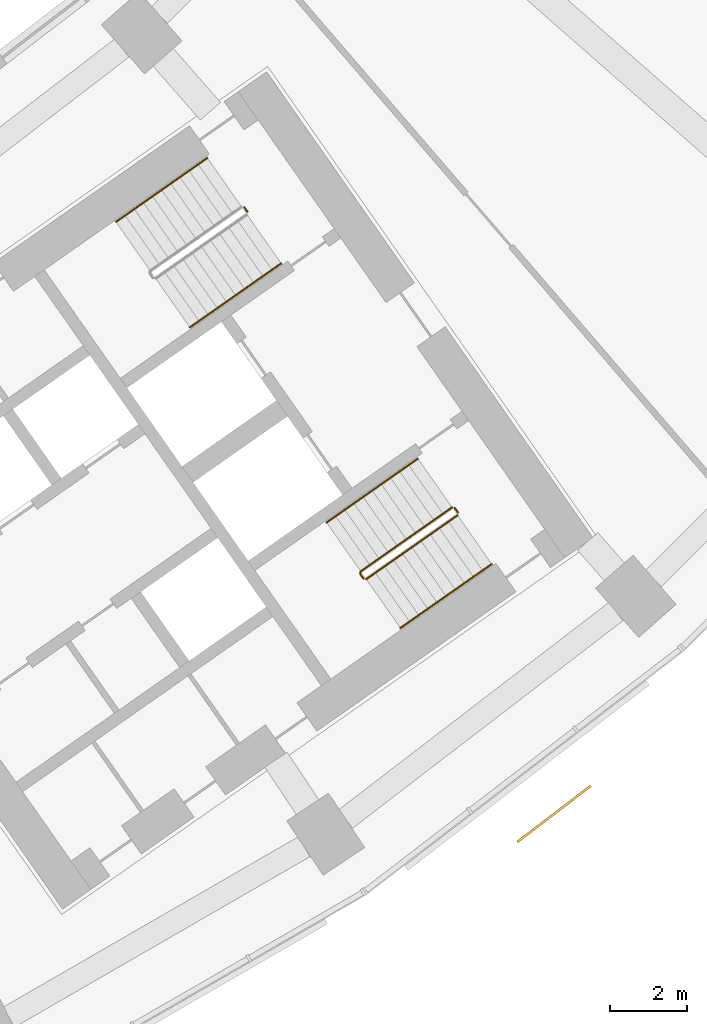
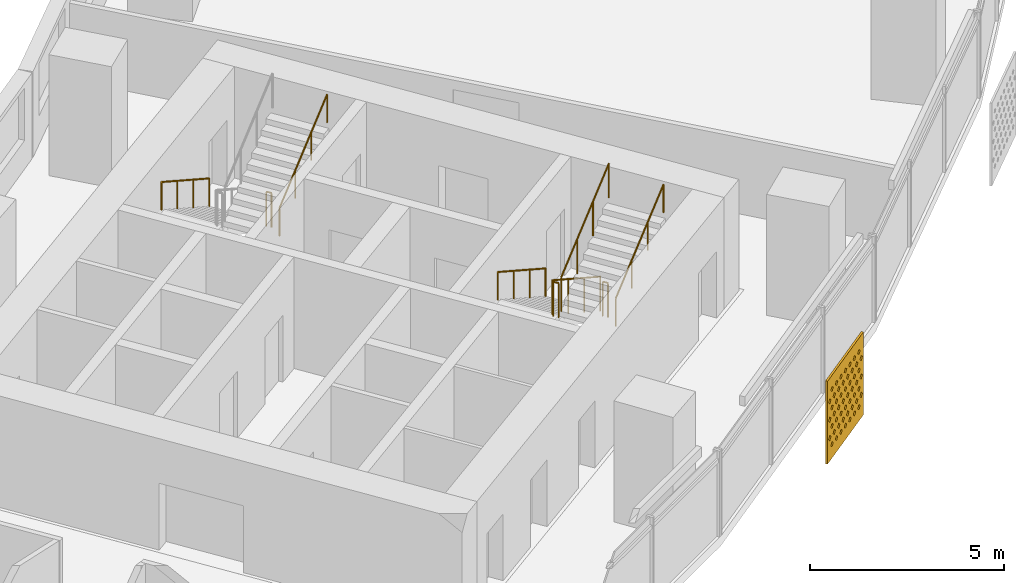
# One storey, part 30 of 31: 8 railings, 1 shading device.
"""IFC4 building model written with IfcOpenShell, lengths in metres."""

from ifc_helpers import new_model, si_unit, direction, frame, origin, origin_2d, place, context, subcontext, project, spatial, polyline, circle, outline, extrude, material, material_profile, profile_set, type_object, element, save


model = new_model("IFC4")

# Units and contexts
model_context = context("Model", 3, precision=1e-05, world=origin(), true_north=direction((0.0, 1.0)))
body_context = subcontext(model_context, "Body", "Model", "MODEL_VIEW")
ifc_project = project(units=[si_unit("LENGTHUNIT", "METRE"), si_unit("AREAUNIT", "SQUARE_METRE"), si_unit("VOLUMEUNIT", "CUBIC_METRE"), si_unit("PLANEANGLEUNIT", "RADIAN"), si_unit("MASSUNIT", "GRAM", prefix="KILO")], contexts=[model_context])

# Site, building, storey
site_placement = place(None, origin())
site = spatial("IfcSite", under=ifc_project, at=site_placement, CompositionType="ELEMENT")
building_placement = place(site_placement, origin())
building = spatial("IfcBuilding", under=site, at=building_placement, Name="Qamariyya Broadcast Tower", CompositionType="ELEMENT")
storey_placement = place(building_placement, frame((0.0, 0.0, 82.300048828125)))
storey = spatial("IfcBuildingStorey", under=building, at=storey_placement, Name="L17", CompositionType="ELEMENT", Elevation=82.300048828125)

# Shading device
ifc_material_1 = material(Name="Perforated glazed terracotta", Category="masonry")
ifc_material_profile = material_profile(ifc_material_1, outline(polyline([(-1.199951171875, -1.300048828125), (1.199951171875, -1.300048828125), (1.199951171875, 1.300048828125), (-1.199951171875, 1.300048828125), (-1.199951171875, -1.300048828125)]), holes=[polyline([(-0.81494140625, -0.86669921875), (-0.89990234375, -0.78173828125), (-0.985107421875, -0.86669921875), (-0.89990234375, -0.95166015625), (-0.81494140625, -0.86669921875)]), polyline([(-0.514892578125, -0.86669921875), (-0.60009765625, -0.78173828125), (-0.68505859375, -0.86669921875), (-0.60009765625, -0.95166015625), (-0.514892578125, -0.86669921875)]), polyline([(-0.215087890625, -0.86669921875), (-0.300048828125, -0.78173828125), (-0.385009765625, -0.86669921875), (-0.300048828125, -0.95166015625), (-0.215087890625, -0.86669921875)]), polyline([(0.0849609375, -0.86669921875), (0.0, -0.78173828125), (-0.0849609375, -0.86669921875), (0.0, -0.95166015625), (0.0849609375, -0.86669921875)]), polyline([(0.385009765625, -0.86669921875), (0.300048828125, -0.78173828125), (0.215087890625, -0.86669921875), (0.300048828125, -0.95166015625), (0.385009765625, -0.86669921875)]), polyline([(0.68505859375, -0.86669921875), (0.60009765625, -0.78173828125), (0.514892578125, -0.86669921875), (0.60009765625, -0.95166015625), (0.68505859375, -0.86669921875)]), polyline([(0.985107421875, -0.86669921875), (0.89990234375, -0.78173828125), (0.81494140625, -0.86669921875), (0.89990234375, -0.95166015625), (0.985107421875, -0.86669921875)]), polyline([(-0.965087890625, -0.577880859375), (-1.050048828125, -0.49267578125), (-1.135009765625, -0.577880859375), (-1.050048828125, -0.662841796875), (-0.965087890625, -0.577880859375)]), polyline([(-0.6650390625, -0.577880859375), (-0.75, -0.49267578125), (-0.8349609375, -0.577880859375), (-0.75, -0.662841796875), (-0.6650390625, -0.577880859375)]), polyline([(-0.364990234375, -0.577880859375), (-0.449951171875, -0.49267578125), (-0.534912109375, -0.577880859375), (-0.449951171875, -0.662841796875), (-0.364990234375, -0.577880859375)]), polyline([(-0.06494140625, -0.577880859375), (-0.14990234375, -0.49267578125), (-0.235107421875, -0.577880859375), (-0.14990234375, -0.662841796875), (-0.06494140625, -0.577880859375)]), polyline([(0.235107421875, -0.577880859375), (0.14990234375, -0.49267578125), (0.06494140625, -0.577880859375), (0.14990234375, -0.662841796875), (0.235107421875, -0.577880859375)]), polyline([(0.534912109375, -0.577880859375), (0.449951171875, -0.49267578125), (0.364990234375, -0.577880859375), (0.449951171875, -0.662841796875), (0.534912109375, -0.577880859375)]), polyline([(0.8349609375, -0.577880859375), (0.75, -0.49267578125), (0.6650390625, -0.577880859375), (0.75, -0.662841796875), (0.8349609375, -0.577880859375)]), polyline([(1.135009765625, -0.577880859375), (1.050048828125, -0.49267578125), (0.965087890625, -0.577880859375), (1.050048828125, -0.662841796875), (1.135009765625, -0.577880859375)]), polyline([(-0.81494140625, -0.288818359375), (-0.89990234375, -0.203857421875), (-0.985107421875, -0.288818359375), (-0.89990234375, -0.373779296875), (-0.81494140625, -0.288818359375)]), polyline([(-0.514892578125, -0.288818359375), (-0.60009765625, -0.203857421875), (-0.68505859375, -0.288818359375), (-0.60009765625, -0.373779296875), (-0.514892578125, -0.288818359375)]), polyline([(-0.215087890625, -0.288818359375), (-0.300048828125, -0.203857421875), (-0.385009765625, -0.288818359375), (-0.300048828125, -0.373779296875), (-0.215087890625, -0.288818359375)]), polyline([(0.0849609375, -0.288818359375), (0.0, -0.203857421875), (-0.0849609375, -0.288818359375), (0.0, -0.373779296875), (0.0849609375, -0.288818359375)]), polyline([(0.385009765625, -0.288818359375), (0.300048828125, -0.203857421875), (0.215087890625, -0.288818359375), (0.300048828125, -0.373779296875), (0.385009765625, -0.288818359375)]), polyline([(0.68505859375, -0.288818359375), (0.60009765625, -0.203857421875), (0.514892578125, -0.288818359375), (0.60009765625, -0.373779296875), (0.68505859375, -0.288818359375)]), polyline([(0.985107421875, -0.288818359375), (0.89990234375, -0.203857421875), (0.81494140625, -0.288818359375), (0.89990234375, -0.373779296875), (0.985107421875, -0.288818359375)]), polyline([(-0.965087890625, 0.0), (-1.050048828125, 0.0849609375), (-1.135009765625, 0.0), (-1.050048828125, -0.0849609375), (-0.965087890625, 0.0)]), polyline([(-0.6650390625, 0.0), (-0.75, 0.0849609375), (-0.8349609375, 0.0), (-0.75, -0.0849609375), (-0.6650390625, 0.0)]), polyline([(-0.364990234375, 0.0), (-0.449951171875, 0.0849609375), (-0.534912109375, 0.0), (-0.449951171875, -0.0849609375), (-0.364990234375, 0.0)]), polyline([(-0.06494140625, 0.0), (-0.14990234375, 0.0849609375), (-0.235107421875, 0.0), (-0.14990234375, -0.0849609375), (-0.06494140625, 0.0)]), polyline([(0.235107421875, 0.0), (0.14990234375, 0.0849609375), (0.06494140625, 0.0), (0.14990234375, -0.0849609375), (0.235107421875, 0.0)]), polyline([(0.534912109375, 0.0), (0.449951171875, 0.0849609375), (0.364990234375, 0.0), (0.449951171875, -0.0849609375), (0.534912109375, 0.0)]), polyline([(0.8349609375, 0.0), (0.75, 0.0849609375), (0.6650390625, 0.0), (0.75, -0.0849609375), (0.8349609375, 0.0)]), polyline([(1.135009765625, 0.0), (1.050048828125, 0.0849609375), (0.965087890625, 0.0), (1.050048828125, -0.0849609375), (1.135009765625, 0.0)]), polyline([(-0.81494140625, 0.288818359375), (-0.89990234375, 0.373779296875), (-0.985107421875, 0.288818359375), (-0.89990234375, 0.203857421875), (-0.81494140625, 0.288818359375)]), polyline([(-0.514892578125, 0.288818359375), (-0.60009765625, 0.373779296875), (-0.68505859375, 0.288818359375), (-0.60009765625, 0.203857421875), (-0.514892578125, 0.288818359375)]), polyline([(-0.215087890625, 0.288818359375), (-0.300048828125, 0.373779296875), (-0.385009765625, 0.288818359375), (-0.300048828125, 0.203857421875), (-0.215087890625, 0.288818359375)]), polyline([(0.0849609375, 0.288818359375), (0.0, 0.373779296875), (-0.0849609375, 0.288818359375), (0.0, 0.203857421875), (0.0849609375, 0.288818359375)]), polyline([(0.385009765625, 0.288818359375), (0.300048828125, 0.373779296875), (0.215087890625, 0.288818359375), (0.300048828125, 0.203857421875), (0.385009765625, 0.288818359375)]), polyline([(0.68505859375, 0.288818359375), (0.60009765625, 0.373779296875), (0.514892578125, 0.288818359375), (0.60009765625, 0.203857421875), (0.68505859375, 0.288818359375)]), polyline([(0.985107421875, 0.288818359375), (0.89990234375, 0.373779296875), (0.81494140625, 0.288818359375), (0.89990234375, 0.203857421875), (0.985107421875, 0.288818359375)]), polyline([(-0.965087890625, 0.577880859375), (-1.050048828125, 0.662841796875), (-1.135009765625, 0.577880859375), (-1.050048828125, 0.49267578125), (-0.965087890625, 0.577880859375)]), polyline([(-0.6650390625, 0.577880859375), (-0.75, 0.662841796875), (-0.8349609375, 0.577880859375), (-0.75, 0.49267578125), (-0.6650390625, 0.577880859375)]), polyline([(-0.364990234375, 0.577880859375), (-0.449951171875, 0.662841796875), (-0.534912109375, 0.577880859375), (-0.449951171875, 0.49267578125), (-0.364990234375, 0.577880859375)]), polyline([(-0.06494140625, 0.577880859375), (-0.14990234375, 0.662841796875), (-0.235107421875, 0.577880859375), (-0.14990234375, 0.49267578125), (-0.06494140625, 0.577880859375)]), polyline([(0.235107421875, 0.577880859375), (0.14990234375, 0.662841796875), (0.06494140625, 0.577880859375), (0.14990234375, 0.49267578125), (0.235107421875, 0.577880859375)]), polyline([(0.534912109375, 0.577880859375), (0.449951171875, 0.662841796875), (0.364990234375, 0.577880859375), (0.449951171875, 0.49267578125), (0.534912109375, 0.577880859375)]), polyline([(0.8349609375, 0.577880859375), (0.75, 0.662841796875), (0.6650390625, 0.577880859375), (0.75, 0.49267578125), (0.8349609375, 0.577880859375)]), polyline([(1.135009765625, 0.577880859375), (1.050048828125, 0.662841796875), (0.965087890625, 0.577880859375), (1.050048828125, 0.49267578125), (1.135009765625, 0.577880859375)]), polyline([(-0.81494140625, 0.86669921875), (-0.89990234375, 0.95166015625), (-0.985107421875, 0.86669921875), (-0.89990234375, 0.78173828125), (-0.81494140625, 0.86669921875)]), polyline([(-0.514892578125, 0.86669921875), (-0.60009765625, 0.95166015625), (-0.68505859375, 0.86669921875), (-0.60009765625, 0.78173828125), (-0.514892578125, 0.86669921875)]), polyline([(-0.215087890625, 0.86669921875), (-0.300048828125, 0.95166015625), (-0.385009765625, 0.86669921875), (-0.300048828125, 0.78173828125), (-0.215087890625, 0.86669921875)]), polyline([(0.0849609375, 0.86669921875), (0.0, 0.95166015625), (-0.0849609375, 0.86669921875), (0.0, 0.78173828125), (0.0849609375, 0.86669921875)]), polyline([(0.385009765625, 0.86669921875), (0.300048828125, 0.95166015625), (0.215087890625, 0.86669921875), (0.300048828125, 0.78173828125), (0.385009765625, 0.86669921875)]), polyline([(0.68505859375, 0.86669921875), (0.60009765625, 0.95166015625), (0.514892578125, 0.86669921875), (0.60009765625, 0.78173828125), (0.68505859375, 0.86669921875)]), polyline([(0.985107421875, 0.86669921875), (0.89990234375, 0.95166015625), (0.81494140625, 0.86669921875), (0.89990234375, 0.78173828125), (0.985107421875, 0.86669921875)])]))
ifc_profile_set = profile_set([ifc_material_profile], Name="Perforated glazed terracotta")
shading_device_type = type_object("IfcShadingDeviceType", Name="Perforated terracotta screen 2400 x 2600", PredefinedType="USERDEFINED", material=ifc_profile_set)
shading_device_placement = place(storey_placement, frame((49.11572265625, -64.0947265625, 1.349853515625), z_axis=(0.607147566278, -0.794589096806, 0.0), x_axis=(0.794589096806, 0.607147566278, 0.0)))
element("IfcShadingDevice", 1, at=shading_device_placement, inside=storey, type_object=shading_device_type, Name="e-scr-L17-13-1", ObjectType="SCREEN", PredefinedType="USERDEFINED", context=body_context, shape_type="SweptSolid", body=[
    extrude(outline(polyline([(-1.199951171875, -1.300048828125), (1.199951171875, -1.300048828125), (1.199951171875, 1.300048828125), (-1.199951171875, 1.300048828125), (-1.199951171875, -1.300048828125)]), holes=[polyline([(-0.81494140625, -0.86669921875), (-0.89990234375, -0.78173828125), (-0.985107421875, -0.86669921875), (-0.89990234375, -0.95166015625), (-0.81494140625, -0.86669921875)]), polyline([(-0.514892578125, -0.86669921875), (-0.60009765625, -0.78173828125), (-0.68505859375, -0.86669921875), (-0.60009765625, -0.95166015625), (-0.514892578125, -0.86669921875)]), polyline([(-0.215087890625, -0.86669921875), (-0.300048828125, -0.78173828125), (-0.385009765625, -0.86669921875), (-0.300048828125, -0.95166015625), (-0.215087890625, -0.86669921875)]), polyline([(0.0849609375, -0.86669921875), (0.0, -0.78173828125), (-0.0849609375, -0.86669921875), (0.0, -0.95166015625), (0.0849609375, -0.86669921875)]), polyline([(0.385009765625, -0.86669921875), (0.300048828125, -0.78173828125), (0.215087890625, -0.86669921875), (0.300048828125, -0.95166015625), (0.385009765625, -0.86669921875)]), polyline([(0.68505859375, -0.86669921875), (0.60009765625, -0.78173828125), (0.514892578125, -0.86669921875), (0.60009765625, -0.95166015625), (0.68505859375, -0.86669921875)]), polyline([(0.985107421875, -0.86669921875), (0.89990234375, -0.78173828125), (0.81494140625, -0.86669921875), (0.89990234375, -0.95166015625), (0.985107421875, -0.86669921875)]), polyline([(-0.965087890625, -0.577880859375), (-1.050048828125, -0.49267578125), (-1.135009765625, -0.577880859375), (-1.050048828125, -0.662841796875), (-0.965087890625, -0.577880859375)]), polyline([(-0.6650390625, -0.577880859375), (-0.75, -0.49267578125), (-0.8349609375, -0.577880859375), (-0.75, -0.662841796875), (-0.6650390625, -0.577880859375)]), polyline([(-0.364990234375, -0.577880859375), (-0.449951171875, -0.49267578125), (-0.534912109375, -0.577880859375), (-0.449951171875, -0.662841796875), (-0.364990234375, -0.577880859375)]), polyline([(-0.06494140625, -0.577880859375), (-0.14990234375, -0.49267578125), (-0.235107421875, -0.577880859375), (-0.14990234375, -0.662841796875), (-0.06494140625, -0.577880859375)]), polyline([(0.235107421875, -0.577880859375), (0.14990234375, -0.49267578125), (0.06494140625, -0.577880859375), (0.14990234375, -0.662841796875), (0.235107421875, -0.577880859375)]), polyline([(0.534912109375, -0.577880859375), (0.449951171875, -0.49267578125), (0.364990234375, -0.577880859375), (0.449951171875, -0.662841796875), (0.534912109375, -0.577880859375)]), polyline([(0.8349609375, -0.577880859375), (0.75, -0.49267578125), (0.6650390625, -0.577880859375), (0.75, -0.662841796875), (0.8349609375, -0.577880859375)]), polyline([(1.135009765625, -0.577880859375), (1.050048828125, -0.49267578125), (0.965087890625, -0.577880859375), (1.050048828125, -0.662841796875), (1.135009765625, -0.577880859375)]), polyline([(-0.81494140625, -0.288818359375), (-0.89990234375, -0.203857421875), (-0.985107421875, -0.288818359375), (-0.89990234375, -0.373779296875), (-0.81494140625, -0.288818359375)]), polyline([(-0.514892578125, -0.288818359375), (-0.60009765625, -0.203857421875), (-0.68505859375, -0.288818359375), (-0.60009765625, -0.373779296875), (-0.514892578125, -0.288818359375)]), polyline([(-0.215087890625, -0.288818359375), (-0.300048828125, -0.203857421875), (-0.385009765625, -0.288818359375), (-0.300048828125, -0.373779296875), (-0.215087890625, -0.288818359375)]), polyline([(0.0849609375, -0.288818359375), (0.0, -0.203857421875), (-0.0849609375, -0.288818359375), (0.0, -0.373779296875), (0.0849609375, -0.288818359375)]), polyline([(0.385009765625, -0.288818359375), (0.300048828125, -0.203857421875), (0.215087890625, -0.288818359375), (0.300048828125, -0.373779296875), (0.385009765625, -0.288818359375)]), polyline([(0.68505859375, -0.288818359375), (0.60009765625, -0.203857421875), (0.514892578125, -0.288818359375), (0.60009765625, -0.373779296875), (0.68505859375, -0.288818359375)]), polyline([(0.985107421875, -0.288818359375), (0.89990234375, -0.203857421875), (0.81494140625, -0.288818359375), (0.89990234375, -0.373779296875), (0.985107421875, -0.288818359375)]), polyline([(-0.965087890625, 0.0), (-1.050048828125, 0.0849609375), (-1.135009765625, 0.0), (-1.050048828125, -0.0849609375), (-0.965087890625, 0.0)]), polyline([(-0.6650390625, 0.0), (-0.75, 0.0849609375), (-0.8349609375, 0.0), (-0.75, -0.0849609375), (-0.6650390625, 0.0)]), polyline([(-0.364990234375, 0.0), (-0.449951171875, 0.0849609375), (-0.534912109375, 0.0), (-0.449951171875, -0.0849609375), (-0.364990234375, 0.0)]), polyline([(-0.06494140625, 0.0), (-0.14990234375, 0.0849609375), (-0.235107421875, 0.0), (-0.14990234375, -0.0849609375), (-0.06494140625, 0.0)]), polyline([(0.235107421875, 0.0), (0.14990234375, 0.0849609375), (0.06494140625, 0.0), (0.14990234375, -0.0849609375), (0.235107421875, 0.0)]), polyline([(0.534912109375, 0.0), (0.449951171875, 0.0849609375), (0.364990234375, 0.0), (0.449951171875, -0.0849609375), (0.534912109375, 0.0)]), polyline([(0.8349609375, 0.0), (0.75, 0.0849609375), (0.6650390625, 0.0), (0.75, -0.0849609375), (0.8349609375, 0.0)]), polyline([(1.135009765625, 0.0), (1.050048828125, 0.0849609375), (0.965087890625, 0.0), (1.050048828125, -0.0849609375), (1.135009765625, 0.0)]), polyline([(-0.81494140625, 0.288818359375), (-0.89990234375, 0.373779296875), (-0.985107421875, 0.288818359375), (-0.89990234375, 0.203857421875), (-0.81494140625, 0.288818359375)]), polyline([(-0.514892578125, 0.288818359375), (-0.60009765625, 0.373779296875), (-0.68505859375, 0.288818359375), (-0.60009765625, 0.203857421875), (-0.514892578125, 0.288818359375)]), polyline([(-0.215087890625, 0.288818359375), (-0.300048828125, 0.373779296875), (-0.385009765625, 0.288818359375), (-0.300048828125, 0.203857421875), (-0.215087890625, 0.288818359375)]), polyline([(0.0849609375, 0.288818359375), (0.0, 0.373779296875), (-0.0849609375, 0.288818359375), (0.0, 0.203857421875), (0.0849609375, 0.288818359375)]), polyline([(0.385009765625, 0.288818359375), (0.300048828125, 0.373779296875), (0.215087890625, 0.288818359375), (0.300048828125, 0.203857421875), (0.385009765625, 0.288818359375)]), polyline([(0.68505859375, 0.288818359375), (0.60009765625, 0.373779296875), (0.514892578125, 0.288818359375), (0.60009765625, 0.203857421875), (0.68505859375, 0.288818359375)]), polyline([(0.985107421875, 0.288818359375), (0.89990234375, 0.373779296875), (0.81494140625, 0.288818359375), (0.89990234375, 0.203857421875), (0.985107421875, 0.288818359375)]), polyline([(-0.965087890625, 0.577880859375), (-1.050048828125, 0.662841796875), (-1.135009765625, 0.577880859375), (-1.050048828125, 0.49267578125), (-0.965087890625, 0.577880859375)]), polyline([(-0.6650390625, 0.577880859375), (-0.75, 0.662841796875), (-0.8349609375, 0.577880859375), (-0.75, 0.49267578125), (-0.6650390625, 0.577880859375)]), polyline([(-0.364990234375, 0.577880859375), (-0.449951171875, 0.662841796875), (-0.534912109375, 0.577880859375), (-0.449951171875, 0.49267578125), (-0.364990234375, 0.577880859375)]), polyline([(-0.06494140625, 0.577880859375), (-0.14990234375, 0.662841796875), (-0.235107421875, 0.577880859375), (-0.14990234375, 0.49267578125), (-0.06494140625, 0.577880859375)]), polyline([(0.235107421875, 0.577880859375), (0.14990234375, 0.662841796875), (0.06494140625, 0.577880859375), (0.14990234375, 0.49267578125), (0.235107421875, 0.577880859375)]), polyline([(0.534912109375, 0.577880859375), (0.449951171875, 0.662841796875), (0.364990234375, 0.577880859375), (0.449951171875, 0.49267578125), (0.534912109375, 0.577880859375)]), polyline([(0.8349609375, 0.577880859375), (0.75, 0.662841796875), (0.6650390625, 0.577880859375), (0.75, 0.49267578125), (0.8349609375, 0.577880859375)]), polyline([(1.135009765625, 0.577880859375), (1.050048828125, 0.662841796875), (0.965087890625, 0.577880859375), (1.050048828125, 0.49267578125), (1.135009765625, 0.577880859375)]), polyline([(-0.81494140625, 0.86669921875), (-0.89990234375, 0.95166015625), (-0.985107421875, 0.86669921875), (-0.89990234375, 0.78173828125), (-0.81494140625, 0.86669921875)]), polyline([(-0.514892578125, 0.86669921875), (-0.60009765625, 0.95166015625), (-0.68505859375, 0.86669921875), (-0.60009765625, 0.78173828125), (-0.514892578125, 0.86669921875)]), polyline([(-0.215087890625, 0.86669921875), (-0.300048828125, 0.95166015625), (-0.385009765625, 0.86669921875), (-0.300048828125, 0.78173828125), (-0.215087890625, 0.86669921875)]), polyline([(0.0849609375, 0.86669921875), (0.0, 0.95166015625), (-0.0849609375, 0.86669921875), (0.0, 0.78173828125), (0.0849609375, 0.86669921875)]), polyline([(0.385009765625, 0.86669921875), (0.300048828125, 0.95166015625), (0.215087890625, 0.86669921875), (0.300048828125, 0.78173828125), (0.385009765625, 0.86669921875)]), polyline([(0.68505859375, 0.86669921875), (0.60009765625, 0.95166015625), (0.514892578125, 0.86669921875), (0.60009765625, 0.78173828125), (0.68505859375, 0.86669921875)]), polyline([(0.985107421875, 0.86669921875), (0.89990234375, 0.95166015625), (0.81494140625, 0.86669921875), (0.89990234375, 0.78173828125), (0.985107421875, 0.86669921875)])]), origin(), (0.0, 0.0, 1.0), 0.059814453125),
])

# Railings
ifc_material_2 = material(Name="Painted steel", Category="steel")
railing_type_1 = type_object("IfcRailingType", Name="Stair guard", PredefinedType="GUARDRAIL", material=ifc_material_2)
railing_1_placement = place(storey_placement, frame((41.072998046875, -48.332275390625, 0.0)))
element("IfcRailing", 2, at=railing_1_placement, inside=storey, type_object=railing_type_1, Name="L17 ST-E2 stair guard 3", PredefinedType="GUARDRAIL", context=body_context, shape_type="SweptSolid", body=[
    extrude(circle(Radius=0.02392578125, at=origin_2d()), frame((0.0, 0.0, 1.076171875), z_axis=(0.572588637393, -0.819842821722, 0.0), x_axis=(0.819842821722, 0.572588637393, 0.0)), (0.0, 0.0, 1.0), 0.150146484375),
    extrude(circle(Radius=0.02099609375, at=origin_2d()), origin(), (0.0, 0.0, 1.0), 1.052001953125),
    extrude(circle(Radius=0.02099609375, at=origin_2d()), frame((0.0859375, -0.123046875, 0.0)), (0.0, 0.0, 1.0), 1.052001953125),
])
railing_2_placement = place(storey_placement, frame((46.48095703125, -56.14306640625, 0.172607421875)))
element("IfcRailing", 3, at=railing_2_placement, inside=storey, type_object=railing_type_1, Name="L17 ST-E1 stair guard 1", PredefinedType="GUARDRAIL", context=body_context, shape_type="SweptSolid", body=[
    extrude(circle(Radius=0.02392578125, at=origin_2d()), frame((0.0, 0.0, 1.076171875), z_axis=(-0.703770094002, -0.492783725636, 0.511734163933), x_axis=(0.573575343427, -0.819152809562, 0.0)), (0.0, 0.0, 1.0), 3.37548828125),
    extrude(circle(Radius=0.02392578125, at=origin_2d()), frame((-2.37548828125, -1.663330078125, 2.80322265625), z_axis=(-0.176149252506, -0.984363469884, 0.0), x_axis=(0.984363469884, -0.176149252506, 0.0)), (0.0, 0.0, 1.0), 0.07080078125),
    extrude(circle(Radius=0.02392578125, at=origin_2d()), frame((-2.387939453125, -1.73291015625, 2.80322265625), z_axis=(0.574444878118, -0.818543268254, 0.0), x_axis=(0.818543268254, 0.574444878118, 0.0)), (0.0, 0.0, 1.0), 0.150146484375),
    extrude(circle(Radius=0.02099609375, at=origin_2d()), origin(), (0.0, 0.0, 1.0), 1.052001953125),
    extrude(circle(Radius=0.02099609375, at=origin_2d()), frame((-0.791748046875, -0.554443359375, 0.57568359375)), (0.0, 0.0, 1.0), 1.052001953125),
    extrude(circle(Radius=0.02099609375, at=origin_2d()), frame((-1.583740234375, -1.10888671875, 1.151611328125)), (0.0, 0.0, 1.0), 1.052001953125),
    extrude(circle(Radius=0.02099609375, at=origin_2d()), frame((-2.37548828125, -1.663330078125, 1.727294921875)), (0.0, 0.0, 1.0), 1.052001953125),
    extrude(circle(Radius=0.02099609375, at=origin_2d()), frame((-2.387939453125, -1.73291015625, 1.727294921875)), (0.0, 0.0, 1.0), 1.052001953125),
    extrude(circle(Radius=0.02099609375, at=origin_2d()), frame((-2.3017578125, -1.855712890625, 1.727294921875)), (0.0, 0.0, 1.0), 1.052001953125),
])
railing_3_placement = place(storey_placement, frame((44.248779296875, -58.01123046875, 2.07275390625)))
element("IfcRailing", 4, at=railing_3_placement, inside=storey, type_object=railing_type_1, Name="L17 ST-E1 stair guard 2", PredefinedType="GUARDRAIL", context=body_context, shape_type="SweptSolid", body=[
    extrude(circle(Radius=0.02392578125, at=origin_2d()), frame((0.0, 0.0, 1.076171875), z_axis=(0.703745009021, 0.492838488332, 0.511715923826), x_axis=(-0.573631830683, 0.819113253969, 0.0)), (0.0, 0.0, 1.0), 3.37548828125),
    extrude(circle(Radius=0.02099609375, at=origin_2d()), origin(), (0.0, 0.0, 1.0), 1.052001953125),
    extrude(circle(Radius=0.02099609375, at=origin_2d()), frame((0.791748046875, 0.554443359375, 0.57568359375)), (0.0, 0.0, 1.0), 1.052001953125),
    extrude(circle(Radius=0.02099609375, at=origin_2d()), frame((1.583740234375, 1.109130859375, 1.151611328125)), (0.0, 0.0, 1.0), 1.052001953125),
    extrude(circle(Radius=0.02099609375, at=origin_2d()), frame((2.37548828125, 1.66357421875, 1.727294921875)), (0.0, 0.0, 1.0), 1.052001953125),
])
railing_4_placement = place(storey_placement, frame((46.550537109375, -56.1552734375, 0.0)))
element("IfcRailing", 5, at=railing_4_placement, inside=storey, type_object=railing_type_1, Name="L17 ST-E1 stair guard 3", PredefinedType="GUARDRAIL", context=body_context, shape_type="SweptSolid", body=[
    extrude(circle(Radius=0.02392578125, at=origin_2d()), frame((0.0, 0.0, 1.076171875), z_axis=(0.574444878118, -0.818543268254, 0.0), x_axis=(0.818543268254, 0.574444878118, 0.0)), (0.0, 0.0, 1.0), 0.150146484375),
    extrude(circle(Radius=0.02099609375, at=origin_2d()), origin(), (0.0, 0.0, 1.0), 1.052001953125),
    extrude(circle(Radius=0.02099609375, at=origin_2d()), frame((0.086181640625, -0.122802734375, 0.0)), (0.0, 0.0, 1.0), 1.052001953125),
])
ifc_material_3 = material(Name="Stainless steel", Category="steel")
railing_type_2 = type_object("IfcRailingType", Name="Stair handrail", PredefinedType="HANDRAIL", material=ifc_material_3)
railing_5_placement = place(storey_placement, frame((40.1142578125, -47.05029296875, 0.172607421875)))
element("IfcRailing", 6, at=railing_5_placement, inside=storey, type_object=railing_type_2, Name="L17 ST-E2 stair handrail 1", PredefinedType="HANDRAIL", context=body_context, shape_type="SweptSolid", body=[
    extrude(circle(Radius=0.02392578125, at=origin_2d()), frame((0.0, 0.0, 0.8759765625), z_axis=(-0.703745009021, -0.492838488332, 0.511715923826), x_axis=(0.573631830683, -0.819113253969, 0.0)), (0.0, 0.0, 1.0), 3.37548828125),
    extrude(circle(Radius=0.02099609375, at=origin_2d()), origin(), (0.0, 0.0, 1.0), 0.851806640625),
    extrude(circle(Radius=0.02099609375, at=origin_2d()), frame((-0.791748046875, -0.554443359375, 0.57568359375)), (0.0, 0.0, 1.0), 0.851806640625),
    extrude(circle(Radius=0.02099609375, at=origin_2d()), frame((-1.583740234375, -1.109130859375, 1.151611328125)), (0.0, 0.0, 1.0), 0.851806640625),
    extrude(circle(Radius=0.02099609375, at=origin_2d()), frame((-2.37548828125, -1.66357421875, 1.727294921875)), (0.0, 0.0, 1.0), 0.851806640625),
])
railing_6_placement = place(storey_placement, frame((39.66015625, -51.4580078125, 2.07275390625)))
element("IfcRailing", 7, at=railing_6_placement, inside=storey, type_object=railing_type_2, Name="L17 ST-E2 stair handrail 2", PredefinedType="HANDRAIL", context=body_context, shape_type="SweptSolid", body=[
    extrude(circle(Radius=0.02392578125, at=origin_2d()), frame((0.0, 0.0, 0.8759765625), z_axis=(0.703745009021, 0.492838488332, 0.511715923826), x_axis=(-0.573631830683, 0.819113253969, 0.0)), (0.0, 0.0, 1.0), 3.37548828125),
    extrude(circle(Radius=0.02099609375, at=origin_2d()), origin(), (0.0, 0.0, 1.0), 0.851806640625),
    extrude(circle(Radius=0.02099609375, at=origin_2d()), frame((0.791748046875, 0.554443359375, 0.57568359375)), (0.0, 0.0, 1.0), 0.851806640625),
    extrude(circle(Radius=0.02099609375, at=origin_2d()), frame((1.583740234375, 1.109130859375, 1.151611328125)), (0.0, 0.0, 1.0), 0.851806640625),
    extrude(circle(Radius=0.02099609375, at=origin_2d()), frame((2.37548828125, 1.66357421875, 1.727294921875)), (0.0, 0.0, 1.0), 0.851806640625),
])
railing_7_placement = place(storey_placement, frame((45.591796875, -54.873291015625, 0.172607421875)))
element("IfcRailing", 8, at=railing_7_placement, inside=storey, type_object=railing_type_2, Name="L17 ST-E1 stair handrail 1", PredefinedType="HANDRAIL", context=body_context, shape_type="SweptSolid", body=[
    extrude(circle(Radius=0.02392578125, at=origin_2d()), frame((0.0, 0.0, 0.8759765625), z_axis=(-0.703770094002, -0.492783725636, 0.511734163933), x_axis=(0.573575343427, -0.819152809562, 0.0)), (0.0, 0.0, 1.0), 3.37548828125),
    extrude(circle(Radius=0.02099609375, at=origin_2d()), origin(), (0.0, 0.0, 1.0), 0.851806640625),
    extrude(circle(Radius=0.02099609375, at=origin_2d()), frame((-0.791748046875, -0.554443359375, 0.57568359375)), (0.0, 0.0, 1.0), 0.851806640625),
    extrude(circle(Radius=0.02099609375, at=origin_2d()), frame((-1.583740234375, -1.10888671875, 1.151611328125)), (0.0, 0.0, 1.0), 0.851806640625),
    extrude(circle(Radius=0.02099609375, at=origin_2d()), frame((-2.37548828125, -1.663330078125, 1.727294921875)), (0.0, 0.0, 1.0), 0.851806640625),
])
railing_8_placement = place(storey_placement, frame((45.137939453125, -59.28076171875, 2.07275390625)))
element("IfcRailing", 9, at=railing_8_placement, inside=storey, type_object=railing_type_2, Name="L17 ST-E1 stair handrail 2", PredefinedType="HANDRAIL", context=body_context, shape_type="SweptSolid", body=[
    extrude(circle(Radius=0.02392578125, at=origin_2d()), frame((0.0, 0.0, 0.8759765625), z_axis=(0.703770094002, 0.492783725636, 0.511734163933), x_axis=(-0.573575343427, 0.819152809562, 0.0)), (0.0, 0.0, 1.0), 3.37548828125),
    extrude(circle(Radius=0.02099609375, at=origin_2d()), origin(), (0.0, 0.0, 1.0), 0.851806640625),
    extrude(circle(Radius=0.02099609375, at=origin_2d()), frame((0.791748046875, 0.554443359375, 0.57568359375)), (0.0, 0.0, 1.0), 0.851806640625),
    extrude(circle(Radius=0.02099609375, at=origin_2d()), frame((1.583740234375, 1.10888671875, 1.151611328125)), (0.0, 0.0, 1.0), 0.851806640625),
    extrude(circle(Radius=0.02099609375, at=origin_2d()), frame((2.37548828125, 1.663330078125, 1.727294921875)), (0.0, 0.0, 1.0), 0.851806640625),
])

save(model, "model.ifc")
